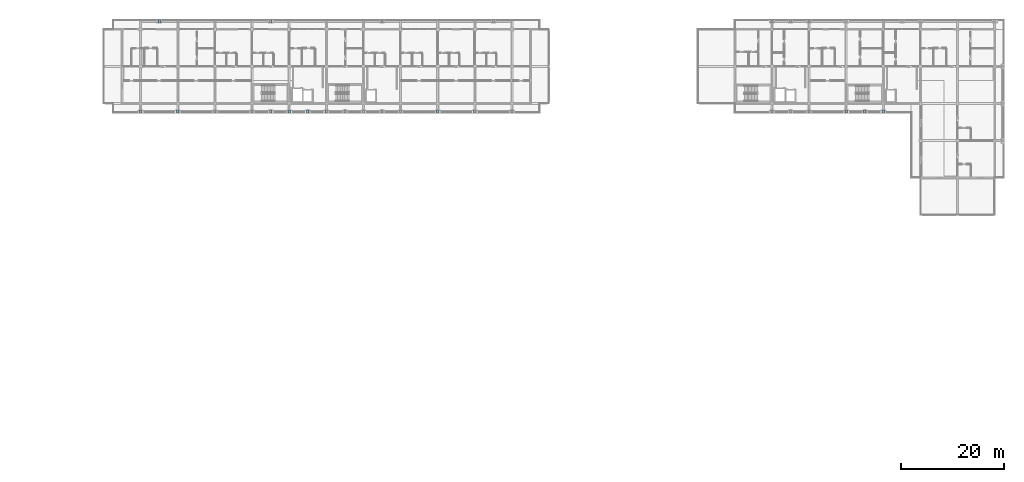
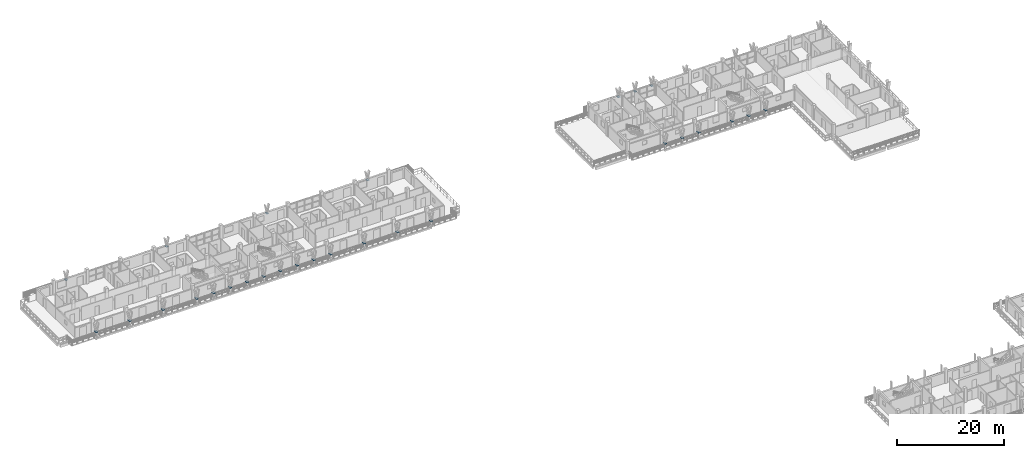
# One storey, part 32 of 60: 28 plates.
"""IFC4 building model written with IfcOpenShell, lengths in metres."""

from ifc_helpers import new_model, si_unit, direction, frame, origin, origin_2d, place, context, subcontext, project, spatial, rectangle, extrude, material, layer, layer_set, type_object, element, save


model = new_model("IFC4")

# Units and contexts
model_context = context("Model", 3, precision=1e-05, world=origin(), true_north=direction((0.0, 1.0)))
body_context = subcontext(model_context, "Body", "Model", "MODEL_VIEW")
ifc_project = project(units=[si_unit("LENGTHUNIT", "METRE"), si_unit("AREAUNIT", "SQUARE_METRE"), si_unit("VOLUMEUNIT", "CUBIC_METRE"), si_unit("PLANEANGLEUNIT", "RADIAN"), si_unit("MASSUNIT", "GRAM", prefix="KILO")], contexts=[model_context])

# Site, building, storey
site_placement = place(None, origin())
site = spatial("IfcSite", under=ifc_project, at=site_placement, CompositionType="ELEMENT")
building_placement = place(site_placement, origin())
building = spatial("IfcBuilding", under=site, at=building_placement, Name="Suanplinth Sawtooth Commons", CompositionType="ELEMENT")
storey_placement = place(building_placement, frame((0.0, 0.0, 31.5)))
storey = spatial("IfcBuildingStorey", under=building, at=storey_placement, Name="L09", CompositionType="ELEMENT", Elevation=31.5)

# Plates
ifc_material = material(Name="Pigmented precast concrete C40/50", Category="concrete")
ifc_layer = layer(ifc_material, 0.06005859375, Name="Precast Y-blade bifurcation node plate 60mm")
ifc_layer_set = layer_set([ifc_layer], Name="Pigmented precast concrete C40/50")
plate_type = type_object("IfcPlateType", Name="PL-04", PredefinedType="USERDEFINED", material=ifc_layer_set)
for number, where, z_axis, x_axis, name in (
    (1, (25.199951171875, 123.919921875, 1.119873046875), (0.0, 0.0, 1.0), (1.0, 0.0, 0.0), "Y-Blade Node Plate L09-A-N-01"),
    (2, (46.800048828125, 123.919921875, 1.119873046875), (0.0, 0.0, 1.0), (1.0, 0.0, 0.0), "Y-Blade Node Plate L09-A-N-02"),
    (3, (68.39990234375, 123.919921875, 1.119873046875), (0.0, 0.0, 1.0), (1.0, 0.0, 0.0), "Y-Blade Node Plate L09-A-N-03"),
    (4, (90.0, 123.919921875, 1.119873046875), (0.0, 0.0, 1.0), (1.0, 0.0, 0.0), "Y-Blade Node Plate L09-A-N-04"),
    (5, (21.60009765625, 106.47998046875, 1.119873046875), (0.0, 0.0, 1.0), (1.0, 0.0, 0.0), "Y-Blade Node Plate L09-A-S-05"),
    (6, (28.800048828125, 106.47998046875, 1.119873046875), (0.0, 0.0, 1.0), (1.0, 0.0, 0.0), "Y-Blade Node Plate L09-A-S-06"),
    (7, (36.0, 106.47998046875, 1.119873046875), (0.0, 0.0, 1.0), (1.0, 0.0, 0.0), "Y-Blade Node Plate L09-A-S-07"),
    (8, (43.199951171875, 106.47998046875, 1.119873046875), (0.0, 0.0, 1.0), (1.0, 0.0, 0.0), "Y-Blade Node Plate L09-A-S-08"),
    (9, (46.800048828125, 106.47998046875, 1.119873046875), (0.0, 0.0, 1.0), (1.0, 0.0, 0.0), "Y-Blade Node Plate L09-A-S-09"),
    (10, (50.39990234375, 106.47998046875, 1.119873046875), (0.0, 0.0, 1.0), (1.0, 0.0, 0.0), "Y-Blade Node Plate L09-A-S-10"),
    (11, (54.0, 106.47998046875, 1.119873046875), (0.0, 0.0, 1.0), (1.0, 0.0, 0.0), "Y-Blade Node Plate L09-A-S-11"),
    (12, (57.60009765625, 106.47998046875, 1.119873046875), (0.0, 0.0, 1.0), (1.0, 0.0, 0.0), "Y-Blade Node Plate L09-A-S-12"),
    (13, (61.199951171875, 106.47998046875, 1.119873046875), (0.0, 0.0, 1.0), (1.0, 0.0, 0.0), "Y-Blade Node Plate L09-A-S-13"),
    (14, (64.800048828125, 106.47998046875, 1.119873046875), (0.0, 0.0, 1.0), (1.0, 0.0, 0.0), "Y-Blade Node Plate L09-A-S-14"),
    (15, (68.39990234375, 106.47998046875, 1.119873046875), (0.0, 0.0, 1.0), (1.0, 0.0, 0.0), "Y-Blade Node Plate L09-A-S-15"),
    (16, (72.0, 106.47998046875, 1.119873046875), (0.0, 0.0, 1.0), (1.0, 0.0, 0.0), "Y-Blade Node Plate L09-A-S-16"),
    (17, (79.199951171875, 106.47998046875, 1.119873046875), (0.0, 0.0, 1.0), (1.0, 0.0, 0.0), "Y-Blade Node Plate L09-A-S-17"),
    (18, (86.39990234375, 106.47998046875, 1.119873046875), (0.0, 0.0, 1.0), (1.0, 0.0, 0.0), "Y-Blade Node Plate L09-A-S-18"),
    (19, (93.60009765625, 106.47998046875, 1.119873046875), (0.0, 0.0, 1.0), (1.0, 0.0, 0.0), "Y-Blade Node Plate L09-A-S-19"),
    (20, (144.0, 123.919921875, 1.119873046875), (0.0, 0.0, 1.0), (1.0, 0.0, 0.0), "Y-Blade Node Plate L09-B-N-01"),
    (21, (147.60009765625, 123.919921875, 1.119873046875), (0.0, 0.0, 1.0), (1.0, 0.0, 0.0), "Y-Blade Node Plate L09-B-N-02"),
    (22, (151.199951171875, 123.919921875, 1.119873046875), (0.0, 0.0, 1.0), (1.0, 0.0, 0.0), "Y-Blade Node Plate L09-B-N-03"),
    (23, (144.0, 106.47998046875, 1.119873046875), (0.0, 0.0, 1.0), (1.0, 0.0, 0.0), "Y-Blade Node Plate L09-B-SC-11"),
    (24, (147.60009765625, 106.47998046875, 1.119873046875), (0.0, 0.0, 1.0), (1.0, 0.0, 0.0), "Y-Blade Node Plate L09-B-SC-12"),
    (25, (151.199951171875, 106.47998046875, 1.119873046875), (0.0, 0.0, 1.0), (1.0, 0.0, 0.0), "Y-Blade Node Plate L09-B-SC-13"),
    (26, (158.39990234375, 106.47998046875, 1.119873046875), (0.0, 0.0, 1.0), (1.0, 0.0, 0.0), "Y-Blade Node Plate L09-B-SC-14"),
    (27, (162.0, 106.47998046875, 1.119873046875), (0.0, 0.0, 1.0), (1.0, 0.0, 0.0), "Y-Blade Node Plate L09-B-SC-15"),
    (28, (165.60009765625, 106.47998046875, 1.119873046875), (0.0, 0.0, 1.0), (1.0, 0.0, 0.0), "Y-Blade Node Plate L09-B-SC-16"),
):
    element("IfcPlate", number, at=place(storey_placement, frame(where, z_axis=z_axis, x_axis=x_axis)), inside=storey, type_object=plate_type, Name=name, ObjectType="GUSSET PLATE", PredefinedType="USERDEFINED", context=body_context, shape_type="SweptSolid", body=[
        extrude(rectangle(XDim=0.43994140625, YDim=0.550048828125, at=origin_2d()), origin(), (0.0, 0.0, 1.0), 0.06005859375),
    ])

save(model, "model.ifc")
